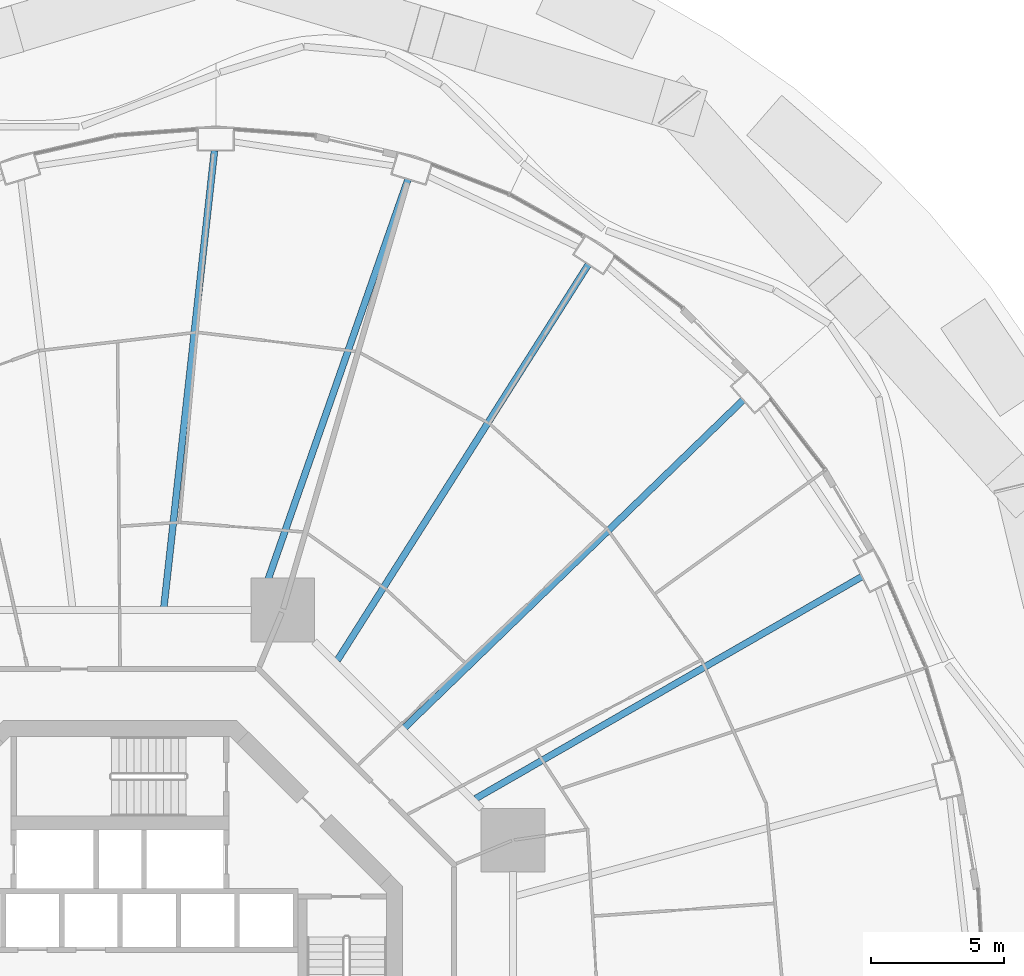
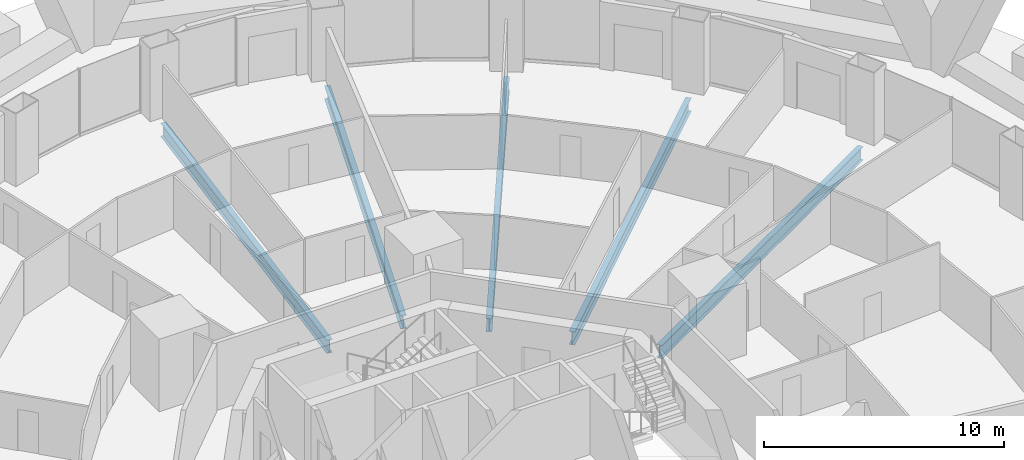
# One storey, part 22 of 42: 5 beams.
"""IFC4 building model written with IfcOpenShell, lengths in metres."""

from ifc_helpers import new_model, si_unit, direction, frame, origin, origin_2d, place, context, subcontext, project, spatial, i_section, extrude, material, material_profile, profile_set, type_object, element, save


model = new_model("IFC4")

# Units and contexts
model_context = context("Model", 3, precision=1e-05, world=origin(), true_north=direction((0.0, 1.0)))
body_context = subcontext(model_context, "Body", "Model", "MODEL_VIEW")
ifc_project = project(units=[si_unit("LENGTHUNIT", "METRE"), si_unit("AREAUNIT", "SQUARE_METRE"), si_unit("VOLUMEUNIT", "CUBIC_METRE"), si_unit("PLANEANGLEUNIT", "RADIAN"), si_unit("MASSUNIT", "GRAM", prefix="KILO")], contexts=[model_context])

# Site, building, storey
site_placement = place(None, origin())
site = spatial("IfcSite", under=ifc_project, at=site_placement, CompositionType="ELEMENT")
building_placement = place(site_placement, origin())
building = spatial("IfcBuilding", under=site, at=building_placement, Name="Nagisa Residences", CompositionType="ELEMENT")
storey_placement = place(building_placement, frame((0.0, 0.0, 27.0)))
storey = spatial("IfcBuildingStorey", under=building, at=storey_placement, Name="L05", CompositionType="ELEMENT", Elevation=27.0)

# Beams
ifc_material = material(Name="Steel ASTM A572 Gr 50", Category="steel")
ifc_material_profile = material_profile(ifc_material, i_section(OverallWidth=0.25390625, OverallDepth=0.68408203125, WebThickness=0.012451171875, FlangeThickness=0.018798828125, at=origin_2d()), Name="W690x140")
ifc_profile_set = profile_set([ifc_material_profile], Name="Steel ASTM A572 Gr 50")
beam_type = type_object("IfcBeamType", Name="Radial beam W690x140", PredefinedType="BEAM", material=ifc_profile_set)
beam_1_placement = place(storey_placement, frame((27.908447265625, 16.035400390625, -0.60205078125), z_axis=(-0.867068052258, -0.498189715623, 0.0), x_axis=(0.498189715623, -0.867068052258, 0.0)))
element("IfcBeam", 1, at=beam_1_placement, inside=storey, type_object=beam_type, Name="beam:L05:rb03", PredefinedType="BEAM", context=body_context, shape_type="SweptSolid", body=[
    extrude(i_section(OverallWidth=0.25390625, OverallDepth=0.68408203125, WebThickness=0.012451171875, FlangeThickness=0.018798828125, at=origin_2d()), origin(), (0.0, 0.0, 1.0), 16.758056640625),
])
beam_2_placement = place(storey_placement, frame((23.443115234375, 22.681640625, -0.60205078125), z_axis=(-0.718678305776, -0.695342716081, 0.0), x_axis=(0.695342716081, -0.718678305776, 0.0)))
element("IfcBeam", 2, at=beam_2_placement, inside=storey, type_object=beam_type, Name="beam:L05:rb04", PredefinedType="BEAM", context=body_context, shape_type="SweptSolid", body=[
    extrude(i_section(OverallWidth=0.25390625, OverallDepth=0.68408203125, WebThickness=0.012451171875, FlangeThickness=0.018798828125, at=origin_2d()), origin(), (0.0, 0.0, 1.0), 17.722900390625),
])
beam_3_placement = place(storey_placement, frame((17.61962890625, 27.78271484375, -0.60205078125), z_axis=(-0.53556610664, -0.844493306911, 0.0), x_axis=(0.844493306911, -0.53556610664, 0.0)))
element("IfcBeam", 3, at=beam_3_placement, inside=storey, type_object=beam_type, Name="beam:L05:rb05", PredefinedType="BEAM", context=body_context, shape_type="SweptSolid", body=[
    extrude(i_section(OverallWidth=0.25390625, OverallDepth=0.68408203125, WebThickness=0.012451171875, FlangeThickness=0.018798828125, at=origin_2d()), origin(), (0.0, 0.0, 1.0), 17.63525390625),
])
beam_4_placement = place(storey_placement, frame((10.834228515625, 30.986328125, -0.60205078125), z_axis=(-0.330051195485, -0.943963033364, 0.0), x_axis=(0.943963033364, -0.330051195485, 0.0)))
element("IfcBeam", 4, at=beam_4_placement, inside=storey, type_object=beam_type, Name="beam:L05:rb06", PredefinedType="BEAM", context=body_context, shape_type="SweptSolid", body=[
    extrude(i_section(OverallWidth=0.25390625, OverallDepth=0.68408203125, WebThickness=0.012451171875, FlangeThickness=0.018798828125, at=origin_2d()), origin(), (0.0, 0.0, 1.0), 17.045654296875),
])
beam_5_placement = place(storey_placement, frame((3.55224609375, 32.06982421875, -0.60205078125), z_axis=(-0.110088818647, -0.993921753464, 0.0), x_axis=(0.993921753464, -0.110088818647, 0.0)))
element("IfcBeam", 5, at=beam_5_placement, inside=storey, type_object=beam_type, Name="beam:L05:rb07", PredefinedType="BEAM", context=body_context, shape_type="SweptSolid", body=[
    extrude(i_section(OverallWidth=0.25390625, OverallDepth=0.68408203125, WebThickness=0.012451171875, FlangeThickness=0.018798828125, at=origin_2d()), origin(), (0.0, 0.0, 1.0), 17.280029296875),
])

save(model, "model.ifc")
